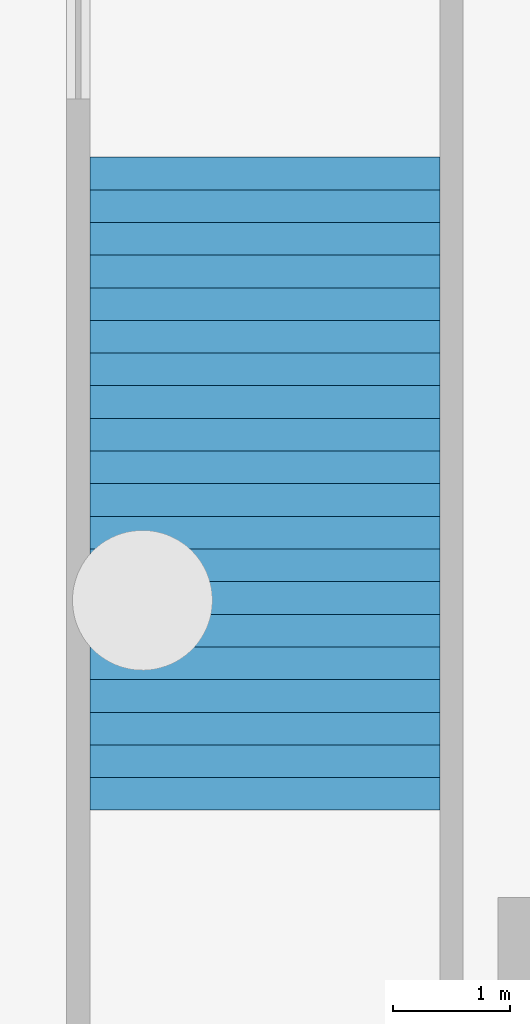
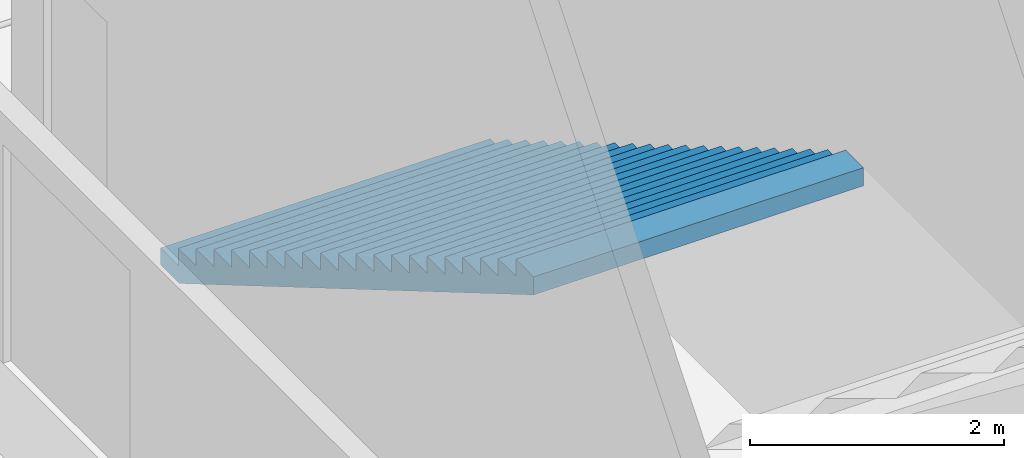
# One storey, part 13 of 16: 1 stair flight, 1 element without a shape of its own.
"""IFC4 building model written with IfcOpenShell, lengths in metres."""

from ifc_helpers import new_model, si_unit, direction, frame, origin, place, context, subcontext, project, spatial, faceted_brep, material, type_object, element, aggregate, save


model = new_model("IFC4")

# Units and contexts
model_context = context("Model", 3, precision=1e-05, world=origin(), true_north=direction((0.0, 1.0)))
body_context = subcontext(model_context, "Body", "Model", "MODEL_VIEW")
ifc_project = project(units=[si_unit("LENGTHUNIT", "METRE"), si_unit("AREAUNIT", "SQUARE_METRE"), si_unit("VOLUMEUNIT", "CUBIC_METRE"), si_unit("PLANEANGLEUNIT", "RADIAN"), si_unit("MASSUNIT", "GRAM", prefix="KILO")], contexts=[model_context])

# Site, building, storey
site_placement = place(None, origin())
site = spatial("IfcSite", under=ifc_project, at=site_placement, CompositionType="ELEMENT")
building_placement = place(site_placement, origin())
building = spatial("IfcBuilding", under=site, at=building_placement, Name="Ogive Plaza Stadium", CompositionType="ELEMENT")
storey_placement = place(building_placement, frame((0.0, 0.0, -11.39990234375)))
storey = spatial("IfcBuildingStorey", under=building, at=storey_placement, Name="B2", CompositionType="ELEMENT", Elevation=-11.39990234375)

# Stair, stair flight
ifc_material_1 = material(Name="Concrete C40/50", Category="concrete")
stair_type = type_object("IfcStairType", Name="Station stair 3000", PredefinedType="TWO_STRAIGHT_RUN_STAIR", material=ifc_material_1)
stair_placement = place(storey_placement, origin())
stair = element("IfcStair", 1, at=stair_placement, inside=storey, type_object=stair_type, Name="Stair PS3", PredefinedType="TWO_STRAIGHT_RUN_STAIR")
ifc_material_2 = material(Name="Concrete C40/50", Category="concrete")
stair_flight_type = type_object("IfcStairFlightType", Name="Station stair flight 3000", PredefinedType="STRAIGHT", material=ifc_material_2)
stair_flight_placement = place(storey_placement, frame((105.050048828125, 42.800048828125, 0.0), z_axis=(0.0, 0.0, 1.0), x_axis=(0.0, -1.0, 0.0)))
stair_flight = element("IfcStairFlight", 2, at=stair_flight_placement, type_object=stair_flight_type, Name="PS3 flight 1", NumberOfRisers=21, NumberOfTreads=20, PredefinedType="STRAIGHT", RiserHeight=0.164285714, TreadLength=0.28, context=body_context, shape_type="Brep", body=[
    faceted_brep([(0.296142578125, -1.5, 0.0), (5.8798828125, -1.5, 3.276123046875), (5.8798828125, -1.5, 3.449951171875), (5.60009765625, -1.5, 3.449951171875), (5.60009765625, -1.5, 3.28564453125), (5.320068359375, -1.5, 3.28564453125), (5.320068359375, -1.5, 3.121337890625), (5.0400390625, -1.5, 3.121337890625), (5.0400390625, -1.5, 2.95703125), (4.760009765625, -1.5, 2.95703125), (4.760009765625, -1.5, 2.79296875), (4.47998046875, -1.5, 2.79296875), (4.47998046875, -1.5, 2.628662109375), (4.199951171875, -1.5, 2.628662109375), (4.199951171875, -1.5, 2.46435546875), (3.919921875, -1.5, 2.46435546875), (3.919921875, -1.5, 2.300048828125), (3.639892578125, -1.5, 2.300048828125), (3.639892578125, -1.5, 2.1357421875), (3.360107421875, -1.5, 2.1357421875), (3.360107421875, -1.5, 1.971435546875), (3.080078125, -1.5, 1.971435546875), (3.080078125, -1.5, 1.80712890625), (2.800048828125, -1.5, 1.80712890625), (2.800048828125, -1.5, 1.642822265625), (2.52001953125, -1.5, 1.642822265625), (2.52001953125, -1.5, 1.478515625), (2.239990234375, -1.5, 1.478515625), (2.239990234375, -1.5, 1.314208984375), (1.9599609375, -1.5, 1.314208984375), (1.9599609375, -1.5, 1.14990234375), (1.679931640625, -1.5, 1.14990234375), (1.679931640625, -1.5, 0.985595703125), (1.39990234375, -1.5, 0.985595703125), (1.39990234375, -1.5, 0.821533203125), (1.1201171875, -1.5, 0.821533203125), (1.1201171875, -1.5, 0.6572265625), (0.840087890625, -1.5, 0.6572265625), (0.840087890625, -1.5, 0.492919921875), (0.56005859375, -1.5, 0.492919921875), (0.56005859375, -1.5, 0.32861328125), (0.280029296875, -1.5, 0.32861328125), (0.280029296875, -1.5, 0.164306640625), (0.0, -1.5, 0.164306640625), (0.0, -1.5, 0.0), (0.0, 1.5, 0.0), (0.0, 1.5, 0.164306640625), (0.280029296875, 1.5, 0.164306640625), (0.280029296875, 1.5, 0.32861328125), (0.56005859375, 1.5, 0.32861328125), (0.56005859375, 1.5, 0.492919921875), (0.840087890625, 1.5, 0.492919921875), (0.840087890625, 1.5, 0.6572265625), (1.1201171875, 1.5, 0.6572265625), (1.1201171875, 1.5, 0.821533203125), (1.39990234375, 1.5, 0.821533203125), (1.39990234375, 1.5, 0.985595703125), (1.679931640625, 1.5, 0.985595703125), (1.679931640625, 1.5, 1.14990234375), (1.9599609375, 1.5, 1.14990234375), (1.9599609375, 1.5, 1.314208984375), (2.239990234375, 1.5, 1.314208984375), (2.239990234375, 1.5, 1.478515625), (2.52001953125, 1.5, 1.478515625), (2.52001953125, 1.5, 1.642822265625), (2.800048828125, 1.5, 1.642822265625), (2.800048828125, 1.5, 1.80712890625), (3.080078125, 1.5, 1.80712890625), (3.080078125, 1.5, 1.971435546875), (3.360107421875, 1.5, 1.971435546875), (3.360107421875, 1.5, 2.1357421875), (3.639892578125, 1.5, 2.1357421875), (3.639892578125, 1.5, 2.300048828125), (3.919921875, 1.5, 2.300048828125), (3.919921875, 1.5, 2.46435546875), (4.199951171875, 1.5, 2.46435546875), (4.199951171875, 1.5, 2.628662109375), (4.47998046875, 1.5, 2.628662109375), (4.47998046875, 1.5, 2.79296875), (4.760009765625, 1.5, 2.79296875), (4.760009765625, 1.5, 2.95703125), (5.0400390625, 1.5, 2.95703125), (5.0400390625, 1.5, 3.121337890625), (5.320068359375, 1.5, 3.121337890625), (5.320068359375, 1.5, 3.28564453125), (5.60009765625, 1.5, 3.28564453125), (5.60009765625, 1.5, 3.449951171875), (5.8798828125, 1.5, 3.449951171875), (5.8798828125, 1.5, 3.276123046875), (0.296142578125, 1.5, 0.0), (0.296142578125, -1.166748046875, 0.0), (5.8798828125, -1.166748046875, 3.276123046875), (0.296142578125, -0.833251953125, 0.0), (5.8798828125, -0.833251953125, 3.276123046875), (0.296142578125, -0.5, 0.0), (5.8798828125, -0.5, 3.276123046875), (0.296142578125, -0.166748046875, 0.0), (5.8798828125, -0.166748046875, 3.276123046875), (0.296142578125, 0.166748046875, 0.0), (5.8798828125, 0.166748046875, 3.276123046875), (0.296142578125, 0.5, 0.0), (5.8798828125, 0.5, 3.276123046875), (0.296142578125, 0.833251953125, 0.0), (5.8798828125, 0.833251953125, 3.276123046875), (0.296142578125, 1.166748046875, 0.0), (5.8798828125, 1.166748046875, 3.276123046875), (5.8798828125, -1.166748046875, 3.449951171875), (5.8798828125, -0.833251953125, 3.449951171875), (5.8798828125, -0.5, 3.449951171875), (5.8798828125, -0.166748046875, 3.449951171875), (5.8798828125, 0.166748046875, 3.449951171875), (5.8798828125, 0.5, 3.449951171875), (5.8798828125, 0.833251953125, 3.449951171875), (5.8798828125, 1.166748046875, 3.449951171875), (5.60009765625, -1.166748046875, 3.449951171875), (5.60009765625, -0.833251953125, 3.449951171875), (5.60009765625, -0.5, 3.449951171875), (5.60009765625, -0.166748046875, 3.449951171875), (5.60009765625, 0.166748046875, 3.449951171875), (5.60009765625, 0.5, 3.449951171875), (5.60009765625, 0.833251953125, 3.449951171875), (5.60009765625, 1.166748046875, 3.449951171875), (5.60009765625, -1.166748046875, 3.28564453125), (5.60009765625, -0.833251953125, 3.28564453125), (5.60009765625, -0.5, 3.28564453125), (5.60009765625, -0.166748046875, 3.28564453125), (5.60009765625, 0.166748046875, 3.28564453125), (5.60009765625, 0.5, 3.28564453125), (5.60009765625, 0.833251953125, 3.28564453125), (5.60009765625, 1.166748046875, 3.28564453125), (5.320068359375, -1.166748046875, 3.28564453125), (5.320068359375, -0.833251953125, 3.28564453125), (5.320068359375, -0.5, 3.28564453125), (5.320068359375, -0.166748046875, 3.28564453125), (5.320068359375, 0.166748046875, 3.28564453125), (5.320068359375, 0.5, 3.28564453125), (5.320068359375, 0.833251953125, 3.28564453125), (5.320068359375, 1.166748046875, 3.28564453125), (5.320068359375, -1.166748046875, 3.121337890625), (5.320068359375, -0.833251953125, 3.121337890625), (5.320068359375, -0.5, 3.121337890625), (5.320068359375, -0.166748046875, 3.121337890625), (5.320068359375, 0.166748046875, 3.121337890625), (5.320068359375, 0.5, 3.121337890625), (5.320068359375, 0.833251953125, 3.121337890625), (5.320068359375, 1.166748046875, 3.121337890625), (5.0400390625, -1.166748046875, 3.121337890625), (5.0400390625, -0.833251953125, 3.121337890625), (5.0400390625, -0.5, 3.121337890625), (5.0400390625, -0.166748046875, 3.121337890625), (5.0400390625, 0.166748046875, 3.121337890625), (5.0400390625, 0.5, 3.121337890625), (5.0400390625, 0.833251953125, 3.121337890625), (5.0400390625, 1.166748046875, 3.121337890625), (5.0400390625, -1.166748046875, 2.95703125), (5.0400390625, -0.833251953125, 2.95703125), (5.0400390625, -0.5, 2.95703125), (5.0400390625, -0.166748046875, 2.95703125), (5.0400390625, 0.166748046875, 2.95703125), (5.0400390625, 0.5, 2.95703125), (5.0400390625, 0.833251953125, 2.95703125), (5.0400390625, 1.166748046875, 2.95703125), (4.760009765625, -1.166748046875, 2.95703125), (4.760009765625, -0.833251953125, 2.95703125), (4.760009765625, -0.5, 2.95703125), (4.760009765625, -0.166748046875, 2.95703125), (4.760009765625, 0.166748046875, 2.95703125), (4.760009765625, 0.5, 2.95703125), (4.760009765625, 0.833251953125, 2.95703125), (4.760009765625, 1.166748046875, 2.95703125), (4.760009765625, -1.166748046875, 2.79296875), (4.760009765625, -0.833251953125, 2.79296875), (4.760009765625, -0.5, 2.79296875), (4.760009765625, -0.166748046875, 2.79296875), (4.760009765625, 0.166748046875, 2.79296875), (4.760009765625, 0.5, 2.79296875), (4.760009765625, 0.833251953125, 2.79296875), (4.760009765625, 1.166748046875, 2.79296875), (4.47998046875, -1.166748046875, 2.79296875), (4.47998046875, -0.833251953125, 2.79296875), (4.47998046875, -0.5, 2.79296875), (4.47998046875, -0.166748046875, 2.79296875), (4.47998046875, 0.166748046875, 2.79296875), (4.47998046875, 0.5, 2.79296875), (4.47998046875, 0.833251953125, 2.79296875), (4.47998046875, 1.166748046875, 2.79296875), (4.47998046875, -1.166748046875, 2.628662109375), (4.47998046875, -0.833251953125, 2.628662109375), (4.47998046875, -0.5, 2.628662109375), (4.47998046875, -0.166748046875, 2.628662109375), (4.47998046875, 0.166748046875, 2.628662109375), (4.47998046875, 0.5, 2.628662109375), (4.47998046875, 0.833251953125, 2.628662109375), (4.47998046875, 1.166748046875, 2.628662109375), (4.199951171875, -1.166748046875, 2.628662109375), (4.199951171875, -0.833251953125, 2.628662109375), (4.199951171875, -0.5, 2.628662109375), (4.199951171875, -0.166748046875, 2.628662109375), (4.199951171875, 0.166748046875, 2.628662109375), (4.199951171875, 0.5, 2.628662109375), (4.199951171875, 0.833251953125, 2.628662109375), (4.199951171875, 1.166748046875, 2.628662109375), (4.199951171875, -1.166748046875, 2.46435546875), (4.199951171875, -0.833251953125, 2.46435546875), (4.199951171875, -0.5, 2.46435546875), (4.199951171875, -0.166748046875, 2.46435546875), (4.199951171875, 0.166748046875, 2.46435546875), (4.199951171875, 0.5, 2.46435546875), (4.199951171875, 0.833251953125, 2.46435546875), (4.199951171875, 1.166748046875, 2.46435546875), (3.919921875, -1.166748046875, 2.46435546875), (3.919921875, -0.833251953125, 2.46435546875), (3.919921875, -0.5, 2.46435546875), (3.919921875, -0.166748046875, 2.46435546875), (3.919921875, 0.166748046875, 2.46435546875), (3.919921875, 0.5, 2.46435546875), (3.919921875, 0.833251953125, 2.46435546875), (3.919921875, 1.166748046875, 2.46435546875), (3.919921875, -1.166748046875, 2.300048828125), (3.919921875, -0.833251953125, 2.300048828125), (3.919921875, -0.5, 2.300048828125), (3.919921875, -0.166748046875, 2.300048828125), (3.919921875, 0.166748046875, 2.300048828125), (3.919921875, 0.5, 2.300048828125), (3.919921875, 0.833251953125, 2.300048828125), (3.919921875, 1.166748046875, 2.300048828125), (3.639892578125, -1.166748046875, 2.300048828125), (3.639892578125, -0.833251953125, 2.300048828125), (3.639892578125, -0.5, 2.300048828125), (3.639892578125, -0.166748046875, 2.300048828125), (3.639892578125, 0.166748046875, 2.300048828125), (3.639892578125, 0.5, 2.300048828125), (3.639892578125, 0.833251953125, 2.300048828125), (3.639892578125, 1.166748046875, 2.300048828125), (3.639892578125, -1.166748046875, 2.1357421875), (3.639892578125, -0.833251953125, 2.1357421875), (3.639892578125, -0.5, 2.1357421875), (3.639892578125, -0.166748046875, 2.1357421875), (3.639892578125, 0.166748046875, 2.1357421875), (3.639892578125, 0.5, 2.1357421875), (3.639892578125, 0.833251953125, 2.1357421875), (3.639892578125, 1.166748046875, 2.1357421875), (3.360107421875, -1.166748046875, 2.1357421875), (3.360107421875, -0.833251953125, 2.1357421875), (3.360107421875, -0.5, 2.1357421875), (3.360107421875, -0.166748046875, 2.1357421875), (3.360107421875, 0.166748046875, 2.1357421875), (3.360107421875, 0.5, 2.1357421875), (3.360107421875, 0.833251953125, 2.1357421875), (3.360107421875, 1.166748046875, 2.1357421875), (3.360107421875, -1.166748046875, 1.971435546875), (3.360107421875, -0.833251953125, 1.971435546875), (3.360107421875, -0.5, 1.971435546875), (3.360107421875, -0.166748046875, 1.971435546875), (3.360107421875, 0.166748046875, 1.971435546875), (3.360107421875, 0.5, 1.971435546875), (3.360107421875, 0.833251953125, 1.971435546875), (3.360107421875, 1.166748046875, 1.971435546875), (3.080078125, -1.166748046875, 1.971435546875), (3.080078125, -0.833251953125, 1.971435546875), (3.080078125, -0.5, 1.971435546875), (3.080078125, -0.166748046875, 1.971435546875), (3.080078125, 0.166748046875, 1.971435546875), (3.080078125, 0.5, 1.971435546875), (3.080078125, 0.833251953125, 1.971435546875), (3.080078125, 1.166748046875, 1.971435546875), (3.080078125, -1.166748046875, 1.80712890625), (3.080078125, -0.833251953125, 1.80712890625), (3.080078125, -0.5, 1.80712890625), (3.080078125, -0.166748046875, 1.80712890625), (3.080078125, 0.166748046875, 1.80712890625), (3.080078125, 0.5, 1.80712890625), (3.080078125, 0.833251953125, 1.80712890625), (3.080078125, 1.166748046875, 1.80712890625), (2.800048828125, -1.166748046875, 1.80712890625), (2.800048828125, -0.833251953125, 1.80712890625), (2.800048828125, -0.5, 1.80712890625), (2.800048828125, -0.166748046875, 1.80712890625), (2.800048828125, 0.166748046875, 1.80712890625), (2.800048828125, 0.5, 1.80712890625), (2.800048828125, 0.833251953125, 1.80712890625), (2.800048828125, 1.166748046875, 1.80712890625), (2.800048828125, -1.166748046875, 1.642822265625), (2.800048828125, -0.833251953125, 1.642822265625), (2.800048828125, -0.5, 1.642822265625), (2.800048828125, -0.166748046875, 1.642822265625), (2.800048828125, 0.166748046875, 1.642822265625), (2.800048828125, 0.5, 1.642822265625), (2.800048828125, 0.833251953125, 1.642822265625), (2.800048828125, 1.166748046875, 1.642822265625), (2.52001953125, -1.166748046875, 1.642822265625), (2.52001953125, -0.833251953125, 1.642822265625), (2.52001953125, -0.5, 1.642822265625), (2.52001953125, -0.166748046875, 1.642822265625), (2.52001953125, 0.166748046875, 1.642822265625), (2.52001953125, 0.5, 1.642822265625), (2.52001953125, 0.833251953125, 1.642822265625), (2.52001953125, 1.166748046875, 1.642822265625), (2.52001953125, -1.166748046875, 1.478515625), (2.52001953125, -0.833251953125, 1.478515625), (2.52001953125, -0.5, 1.478515625), (2.52001953125, -0.166748046875, 1.478515625), (2.52001953125, 0.166748046875, 1.478515625), (2.52001953125, 0.5, 1.478515625), (2.52001953125, 0.833251953125, 1.478515625), (2.52001953125, 1.166748046875, 1.478515625), (2.239990234375, -1.166748046875, 1.478515625), (2.239990234375, -0.833251953125, 1.478515625), (2.239990234375, -0.5, 1.478515625), (2.239990234375, -0.166748046875, 1.478515625), (2.239990234375, 0.166748046875, 1.478515625), (2.239990234375, 0.5, 1.478515625), (2.239990234375, 0.833251953125, 1.478515625), (2.239990234375, 1.166748046875, 1.478515625), (2.239990234375, -1.166748046875, 1.314208984375), (2.239990234375, -0.833251953125, 1.314208984375), (2.239990234375, -0.5, 1.314208984375), (2.239990234375, -0.166748046875, 1.314208984375), (2.239990234375, 0.166748046875, 1.314208984375), (2.239990234375, 0.5, 1.314208984375), (2.239990234375, 0.833251953125, 1.314208984375), (2.239990234375, 1.166748046875, 1.314208984375), (1.9599609375, -1.166748046875, 1.314208984375), (1.9599609375, -0.833251953125, 1.314208984375), (1.9599609375, -0.5, 1.314208984375), (1.9599609375, -0.166748046875, 1.314208984375), (1.9599609375, 0.166748046875, 1.314208984375), (1.9599609375, 0.5, 1.314208984375), (1.9599609375, 0.833251953125, 1.314208984375), (1.9599609375, 1.166748046875, 1.314208984375), (1.9599609375, -1.166748046875, 1.14990234375), (1.9599609375, -0.833251953125, 1.14990234375), (1.9599609375, -0.5, 1.14990234375), (1.9599609375, -0.166748046875, 1.14990234375), (1.9599609375, 0.166748046875, 1.14990234375), (1.9599609375, 0.5, 1.14990234375), (1.9599609375, 0.833251953125, 1.14990234375), (1.9599609375, 1.166748046875, 1.14990234375), (1.679931640625, -1.166748046875, 1.14990234375), (1.679931640625, -0.833251953125, 1.14990234375), (1.679931640625, -0.5, 1.14990234375), (1.679931640625, -0.166748046875, 1.14990234375), (1.679931640625, 0.166748046875, 1.14990234375), (1.679931640625, 0.5, 1.14990234375), (1.679931640625, 0.833251953125, 1.14990234375), (1.679931640625, 1.166748046875, 1.14990234375), (1.679931640625, -1.166748046875, 0.985595703125), (1.679931640625, -0.833251953125, 0.985595703125), (1.679931640625, -0.5, 0.985595703125), (1.679931640625, -0.166748046875, 0.985595703125), (1.679931640625, 0.166748046875, 0.985595703125), (1.679931640625, 0.5, 0.985595703125), (1.679931640625, 0.833251953125, 0.985595703125), (1.679931640625, 1.166748046875, 0.985595703125), (1.39990234375, -1.166748046875, 0.985595703125), (1.39990234375, -0.833251953125, 0.985595703125), (1.39990234375, -0.5, 0.985595703125), (1.39990234375, -0.166748046875, 0.985595703125), (1.39990234375, 0.166748046875, 0.985595703125), (1.39990234375, 0.5, 0.985595703125), (1.39990234375, 0.833251953125, 0.985595703125), (1.39990234375, 1.166748046875, 0.985595703125), (1.39990234375, -1.166748046875, 0.821533203125), (1.39990234375, -0.833251953125, 0.821533203125), (1.39990234375, -0.5, 0.821533203125), (1.39990234375, -0.166748046875, 0.821533203125), (1.39990234375, 0.166748046875, 0.821533203125), (1.39990234375, 0.5, 0.821533203125), (1.39990234375, 0.833251953125, 0.821533203125), (1.39990234375, 1.166748046875, 0.821533203125), (1.1201171875, -1.166748046875, 0.821533203125), (1.1201171875, -0.833251953125, 0.821533203125), (1.1201171875, -0.5, 0.821533203125), (1.1201171875, -0.166748046875, 0.821533203125), (1.1201171875, 0.166748046875, 0.821533203125), (1.1201171875, 0.5, 0.821533203125), (1.1201171875, 0.833251953125, 0.821533203125), (1.1201171875, 1.166748046875, 0.821533203125), (1.1201171875, -1.166748046875, 0.6572265625), (1.1201171875, -0.833251953125, 0.6572265625), (1.1201171875, -0.5, 0.6572265625), (1.1201171875, -0.166748046875, 0.6572265625), (1.1201171875, 0.166748046875, 0.6572265625), (1.1201171875, 0.5, 0.6572265625), (1.1201171875, 0.833251953125, 0.6572265625), (1.1201171875, 1.166748046875, 0.6572265625), (0.840087890625, -1.166748046875, 0.6572265625), (0.840087890625, -0.833251953125, 0.6572265625), (0.840087890625, -0.5, 0.6572265625), (0.840087890625, -0.166748046875, 0.6572265625), (0.840087890625, 0.166748046875, 0.6572265625), (0.840087890625, 0.5, 0.6572265625), (0.840087890625, 0.833251953125, 0.6572265625), (0.840087890625, 1.166748046875, 0.6572265625), (0.840087890625, -1.166748046875, 0.492919921875), (0.840087890625, -0.833251953125, 0.492919921875), (0.840087890625, -0.5, 0.492919921875), (0.840087890625, -0.166748046875, 0.492919921875), (0.840087890625, 0.166748046875, 0.492919921875), (0.840087890625, 0.5, 0.492919921875), (0.840087890625, 0.833251953125, 0.492919921875), (0.840087890625, 1.166748046875, 0.492919921875), (0.56005859375, -1.166748046875, 0.492919921875), (0.56005859375, -0.833251953125, 0.492919921875), (0.56005859375, -0.5, 0.492919921875), (0.56005859375, -0.166748046875, 0.492919921875), (0.56005859375, 0.166748046875, 0.492919921875), (0.56005859375, 0.5, 0.492919921875), (0.56005859375, 0.833251953125, 0.492919921875), (0.56005859375, 1.166748046875, 0.492919921875), (0.56005859375, -1.166748046875, 0.32861328125), (0.56005859375, -0.833251953125, 0.32861328125), (0.56005859375, -0.5, 0.32861328125), (0.56005859375, -0.166748046875, 0.32861328125), (0.56005859375, 0.166748046875, 0.32861328125), (0.56005859375, 0.5, 0.32861328125), (0.56005859375, 0.833251953125, 0.32861328125), (0.56005859375, 1.166748046875, 0.32861328125), (0.280029296875, -1.166748046875, 0.32861328125), (0.280029296875, -0.833251953125, 0.32861328125), (0.280029296875, -0.5, 0.32861328125), (0.280029296875, -0.166748046875, 0.32861328125), (0.280029296875, 0.166748046875, 0.32861328125), (0.280029296875, 0.5, 0.32861328125), (0.280029296875, 0.833251953125, 0.32861328125), (0.280029296875, 1.166748046875, 0.32861328125), (0.280029296875, -1.166748046875, 0.164306640625), (0.280029296875, -0.833251953125, 0.164306640625), (0.280029296875, -0.5, 0.164306640625), (0.280029296875, -0.166748046875, 0.164306640625), (0.280029296875, 0.166748046875, 0.164306640625), (0.280029296875, 0.5, 0.164306640625), (0.280029296875, 0.833251953125, 0.164306640625), (0.280029296875, 1.166748046875, 0.164306640625), (0.0, -1.166748046875, 0.164306640625), (0.0, -0.833251953125, 0.164306640625), (0.0, -0.5, 0.164306640625), (0.0, -0.166748046875, 0.164306640625), (0.0, 0.166748046875, 0.164306640625), (0.0, 0.5, 0.164306640625), (0.0, 0.833251953125, 0.164306640625), (0.0, 1.166748046875, 0.164306640625), (0.0, -1.166748046875, 0.0), (0.0, -0.833251953125, 0.0), (0.0, -0.5, 0.0), (0.0, -0.166748046875, 0.0), (0.0, 0.166748046875, 0.0), (0.0, 0.5, 0.0), (0.0, 0.833251953125, 0.0), (0.0, 1.166748046875, 0.0)], [[[0, 1, 2, 3, 4, 5, 6, 7, 8, 9, 10, 11, 12, 13, 14, 15, 16, 17, 18, 19, 20, 21, 22, 23, 24, 25, 26, 27, 28, 29, 30, 31, 32, 33, 34, 35, 36, 37, 38, 39, 40, 41, 42, 43, 44]], [[45, 46, 47, 48, 49, 50, 51, 52, 53, 54, 55, 56, 57, 58, 59, 60, 61, 62, 63, 64, 65, 66, 67, 68, 69, 70, 71, 72, 73, 74, 75, 76, 77, 78, 79, 80, 81, 82, 83, 84, 85, 86, 87, 88, 89]], [[0, 90, 91, 1]], [[90, 92, 93, 91]], [[92, 94, 95, 93]], [[94, 96, 97, 95]], [[96, 98, 99, 97]], [[98, 100, 101, 99]], [[100, 102, 103, 101]], [[102, 104, 105, 103]], [[104, 89, 88, 105]], [[1, 91, 106, 2]], [[91, 93, 107, 106]], [[93, 95, 108, 107]], [[95, 97, 109, 108]], [[97, 99, 110, 109]], [[99, 101, 111, 110]], [[101, 103, 112, 111]], [[103, 105, 113, 112]], [[105, 88, 87, 113]], [[2, 106, 114, 3]], [[106, 107, 115, 114]], [[107, 108, 116, 115]], [[108, 109, 117, 116]], [[109, 110, 118, 117]], [[110, 111, 119, 118]], [[111, 112, 120, 119]], [[112, 113, 121, 120]], [[113, 87, 86, 121]], [[3, 114, 122, 4]], [[114, 115, 123, 122]], [[115, 116, 124, 123]], [[116, 117, 125, 124]], [[117, 118, 126, 125]], [[118, 119, 127, 126]], [[119, 120, 128, 127]], [[120, 121, 129, 128]], [[121, 86, 85, 129]], [[4, 122, 130, 5]], [[122, 123, 131, 130]], [[123, 124, 132, 131]], [[124, 125, 133, 132]], [[125, 126, 134, 133]], [[126, 127, 135, 134]], [[127, 128, 136, 135]], [[128, 129, 137, 136]], [[129, 85, 84, 137]], [[5, 130, 138, 6]], [[130, 131, 139, 138]], [[131, 132, 140, 139]], [[132, 133, 141, 140]], [[133, 134, 142, 141]], [[134, 135, 143, 142]], [[135, 136, 144, 143]], [[136, 137, 145, 144]], [[137, 84, 83, 145]], [[6, 138, 146, 7]], [[138, 139, 147, 146]], [[139, 140, 148, 147]], [[140, 141, 149, 148]], [[141, 142, 150, 149]], [[142, 143, 151, 150]], [[143, 144, 152, 151]], [[144, 145, 153, 152]], [[145, 83, 82, 153]], [[7, 146, 154, 8]], [[146, 147, 155, 154]], [[147, 148, 156, 155]], [[148, 149, 157, 156]], [[149, 150, 158, 157]], [[150, 151, 159, 158]], [[151, 152, 160, 159]], [[152, 153, 161, 160]], [[153, 82, 81, 161]], [[8, 154, 162, 9]], [[154, 155, 163, 162]], [[155, 156, 164, 163]], [[156, 157, 165, 164]], [[157, 158, 166, 165]], [[158, 159, 167, 166]], [[159, 160, 168, 167]], [[160, 161, 169, 168]], [[161, 81, 80, 169]], [[9, 162, 170, 10]], [[162, 163, 171, 170]], [[163, 164, 172, 171]], [[164, 165, 173, 172]], [[165, 166, 174, 173]], [[166, 167, 175, 174]], [[167, 168, 176, 175]], [[168, 169, 177, 176]], [[169, 80, 79, 177]], [[10, 170, 178, 11]], [[170, 171, 179, 178]], [[171, 172, 180, 179]], [[172, 173, 181, 180]], [[173, 174, 182, 181]], [[174, 175, 183, 182]], [[175, 176, 184, 183]], [[176, 177, 185, 184]], [[177, 79, 78, 185]], [[11, 178, 186, 12]], [[178, 179, 187, 186]], [[179, 180, 188, 187]], [[180, 181, 189, 188]], [[181, 182, 190, 189]], [[182, 183, 191, 190]], [[183, 184, 192, 191]], [[184, 185, 193, 192]], [[185, 78, 77, 193]], [[12, 186, 194, 13]], [[186, 187, 195, 194]], [[187, 188, 196, 195]], [[188, 189, 197, 196]], [[189, 190, 198, 197]], [[190, 191, 199, 198]], [[191, 192, 200, 199]], [[192, 193, 201, 200]], [[193, 77, 76, 201]], [[13, 194, 202, 14]], [[194, 195, 203, 202]], [[195, 196, 204, 203]], [[196, 197, 205, 204]], [[197, 198, 206, 205]], [[198, 199, 207, 206]], [[199, 200, 208, 207]], [[200, 201, 209, 208]], [[201, 76, 75, 209]], [[14, 202, 210, 15]], [[202, 203, 211, 210]], [[203, 204, 212, 211]], [[204, 205, 213, 212]], [[205, 206, 214, 213]], [[206, 207, 215, 214]], [[207, 208, 216, 215]], [[208, 209, 217, 216]], [[209, 75, 74, 217]], [[15, 210, 218, 16]], [[210, 211, 219, 218]], [[211, 212, 220, 219]], [[212, 213, 221, 220]], [[213, 214, 222, 221]], [[214, 215, 223, 222]], [[215, 216, 224, 223]], [[216, 217, 225, 224]], [[217, 74, 73, 225]], [[16, 218, 226, 17]], [[218, 219, 227, 226]], [[219, 220, 228, 227]], [[220, 221, 229, 228]], [[221, 222, 230, 229]], [[222, 223, 231, 230]], [[223, 224, 232, 231]], [[224, 225, 233, 232]], [[225, 73, 72, 233]], [[17, 226, 234, 18]], [[226, 227, 235, 234]], [[227, 228, 236, 235]], [[228, 229, 237, 236]], [[229, 230, 238, 237]], [[230, 231, 239, 238]], [[231, 232, 240, 239]], [[232, 233, 241, 240]], [[233, 72, 71, 241]], [[18, 234, 242, 19]], [[234, 235, 243, 242]], [[235, 236, 244, 243]], [[236, 237, 245, 244]], [[237, 238, 246, 245]], [[238, 239, 247, 246]], [[239, 240, 248, 247]], [[240, 241, 249, 248]], [[241, 71, 70, 249]], [[19, 242, 250, 20]], [[242, 243, 251, 250]], [[243, 244, 252, 251]], [[244, 245, 253, 252]], [[245, 246, 254, 253]], [[246, 247, 255, 254]], [[247, 248, 256, 255]], [[248, 249, 257, 256]], [[249, 70, 69, 257]], [[20, 250, 258, 21]], [[250, 251, 259, 258]], [[251, 252, 260, 259]], [[252, 253, 261, 260]], [[253, 254, 262, 261]], [[254, 255, 263, 262]], [[255, 256, 264, 263]], [[256, 257, 265, 264]], [[257, 69, 68, 265]], [[21, 258, 266, 22]], [[258, 259, 267, 266]], [[259, 260, 268, 267]], [[260, 261, 269, 268]], [[261, 262, 270, 269]], [[262, 263, 271, 270]], [[263, 264, 272, 271]], [[264, 265, 273, 272]], [[265, 68, 67, 273]], [[22, 266, 274, 23]], [[266, 267, 275, 274]], [[267, 268, 276, 275]], [[268, 269, 277, 276]], [[269, 270, 278, 277]], [[270, 271, 279, 278]], [[271, 272, 280, 279]], [[272, 273, 281, 280]], [[273, 67, 66, 281]], [[23, 274, 282, 24]], [[274, 275, 283, 282]], [[275, 276, 284, 283]], [[276, 277, 285, 284]], [[277, 278, 286, 285]], [[278, 279, 287, 286]], [[279, 280, 288, 287]], [[280, 281, 289, 288]], [[281, 66, 65, 289]], [[24, 282, 290, 25]], [[282, 283, 291, 290]], [[283, 284, 292, 291]], [[284, 285, 293, 292]], [[285, 286, 294, 293]], [[286, 287, 295, 294]], [[287, 288, 296, 295]], [[288, 289, 297, 296]], [[289, 65, 64, 297]], [[25, 290, 298, 26]], [[290, 291, 299, 298]], [[291, 292, 300, 299]], [[292, 293, 301, 300]], [[293, 294, 302, 301]], [[294, 295, 303, 302]], [[295, 296, 304, 303]], [[296, 297, 305, 304]], [[297, 64, 63, 305]], [[26, 298, 306, 27]], [[298, 299, 307, 306]], [[299, 300, 308, 307]], [[300, 301, 309, 308]], [[301, 302, 310, 309]], [[302, 303, 311, 310]], [[303, 304, 312, 311]], [[304, 305, 313, 312]], [[305, 63, 62, 313]], [[27, 306, 314, 28]], [[306, 307, 315, 314]], [[307, 308, 316, 315]], [[308, 309, 317, 316]], [[309, 310, 318, 317]], [[310, 311, 319, 318]], [[311, 312, 320, 319]], [[312, 313, 321, 320]], [[313, 62, 61, 321]], [[28, 314, 322, 29]], [[314, 315, 323, 322]], [[315, 316, 324, 323]], [[316, 317, 325, 324]], [[317, 318, 326, 325]], [[318, 319, 327, 326]], [[319, 320, 328, 327]], [[320, 321, 329, 328]], [[321, 61, 60, 329]], [[29, 322, 330, 30]], [[322, 323, 331, 330]], [[323, 324, 332, 331]], [[324, 325, 333, 332]], [[325, 326, 334, 333]], [[326, 327, 335, 334]], [[327, 328, 336, 335]], [[328, 329, 337, 336]], [[329, 60, 59, 337]], [[30, 330, 338, 31]], [[330, 331, 339, 338]], [[331, 332, 340, 339]], [[332, 333, 341, 340]], [[333, 334, 342, 341]], [[334, 335, 343, 342]], [[335, 336, 344, 343]], [[336, 337, 345, 344]], [[337, 59, 58, 345]], [[31, 338, 346, 32]], [[338, 339, 347, 346]], [[339, 340, 348, 347]], [[340, 341, 349, 348]], [[341, 342, 350, 349]], [[342, 343, 351, 350]], [[343, 344, 352, 351]], [[344, 345, 353, 352]], [[345, 58, 57, 353]], [[32, 346, 354, 33]], [[346, 347, 355, 354]], [[347, 348, 356, 355]], [[348, 349, 357, 356]], [[349, 350, 358, 357]], [[350, 351, 359, 358]], [[351, 352, 360, 359]], [[352, 353, 361, 360]], [[353, 57, 56, 361]], [[33, 354, 362, 34]], [[354, 355, 363, 362]], [[355, 356, 364, 363]], [[356, 357, 365, 364]], [[357, 358, 366, 365]], [[358, 359, 367, 366]], [[359, 360, 368, 367]], [[360, 361, 369, 368]], [[361, 56, 55, 369]], [[34, 362, 370, 35]], [[362, 363, 371, 370]], [[363, 364, 372, 371]], [[364, 365, 373, 372]], [[365, 366, 374, 373]], [[366, 367, 375, 374]], [[367, 368, 376, 375]], [[368, 369, 377, 376]], [[369, 55, 54, 377]], [[35, 370, 378, 36]], [[370, 371, 379, 378]], [[371, 372, 380, 379]], [[372, 373, 381, 380]], [[373, 374, 382, 381]], [[374, 375, 383, 382]], [[375, 376, 384, 383]], [[376, 377, 385, 384]], [[377, 54, 53, 385]], [[36, 378, 386, 37]], [[378, 379, 387, 386]], [[379, 380, 388, 387]], [[380, 381, 389, 388]], [[381, 382, 390, 389]], [[382, 383, 391, 390]], [[383, 384, 392, 391]], [[384, 385, 393, 392]], [[385, 53, 52, 393]], [[37, 386, 394, 38]], [[386, 387, 395, 394]], [[387, 388, 396, 395]], [[388, 389, 397, 396]], [[389, 390, 398, 397]], [[390, 391, 399, 398]], [[391, 392, 400, 399]], [[392, 393, 401, 400]], [[393, 52, 51, 401]], [[38, 394, 402, 39]], [[394, 395, 403, 402]], [[395, 396, 404, 403]], [[396, 397, 405, 404]], [[397, 398, 406, 405]], [[398, 399, 407, 406]], [[399, 400, 408, 407]], [[400, 401, 409, 408]], [[401, 51, 50, 409]], [[39, 402, 410, 40]], [[402, 403, 411, 410]], [[403, 404, 412, 411]], [[404, 405, 413, 412]], [[405, 406, 414, 413]], [[406, 407, 415, 414]], [[407, 408, 416, 415]], [[408, 409, 417, 416]], [[409, 50, 49, 417]], [[40, 410, 418, 41]], [[410, 411, 419, 418]], [[411, 412, 420, 419]], [[412, 413, 421, 420]], [[413, 414, 422, 421]], [[414, 415, 423, 422]], [[415, 416, 424, 423]], [[416, 417, 425, 424]], [[417, 49, 48, 425]], [[41, 418, 426, 42]], [[418, 419, 427, 426]], [[419, 420, 428, 427]], [[420, 421, 429, 428]], [[421, 422, 430, 429]], [[422, 423, 431, 430]], [[423, 424, 432, 431]], [[424, 425, 433, 432]], [[425, 48, 47, 433]], [[42, 426, 434, 43]], [[426, 427, 435, 434]], [[427, 428, 436, 435]], [[428, 429, 437, 436]], [[429, 430, 438, 437]], [[430, 431, 439, 438]], [[431, 432, 440, 439]], [[432, 433, 441, 440]], [[433, 47, 46, 441]], [[43, 434, 442, 44]], [[434, 435, 443, 442]], [[435, 436, 444, 443]], [[436, 437, 445, 444]], [[437, 438, 446, 445]], [[438, 439, 447, 446]], [[439, 440, 448, 447]], [[440, 441, 449, 448]], [[441, 46, 45, 449]], [[44, 442, 90, 0]], [[442, 443, 92, 90]], [[443, 444, 94, 92]], [[444, 445, 96, 94]], [[445, 446, 98, 96]], [[446, 447, 100, 98]], [[447, 448, 102, 100]], [[448, 449, 104, 102]], [[449, 45, 89, 104]]]),
])
aggregate(stair, [stair_flight])

save(model, "model.ifc")
